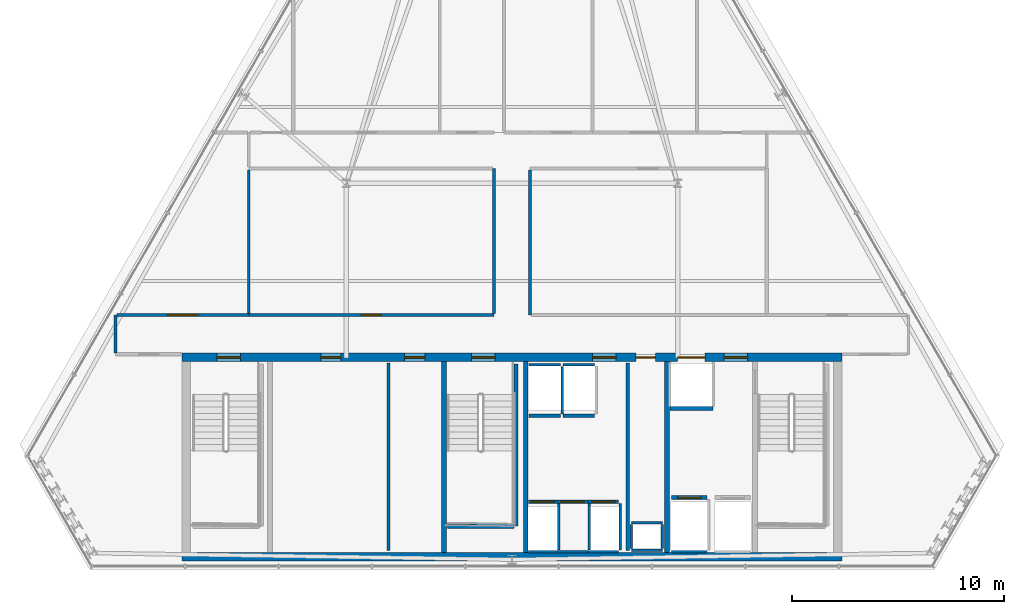
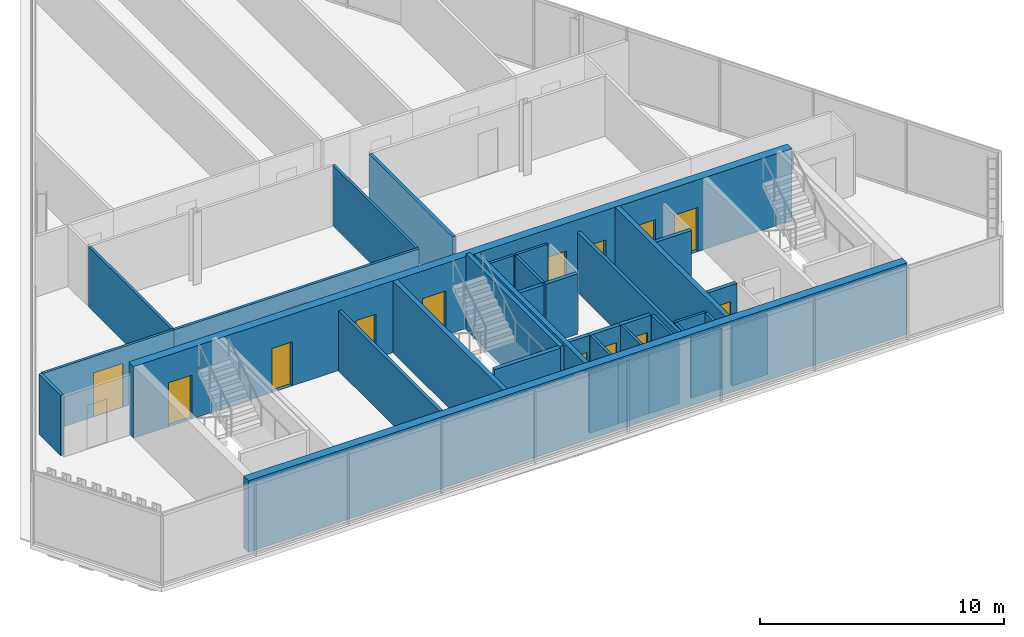
# One storey, part 27 of 32: 36 walls, 14 doors, 14 openings.
"""IFC4 building model written with IfcOpenShell, lengths in metres."""

import ifcopenshell
import ifcopenshell.guid

model = None  # the IFC model being written
_history = None  # IfcOwnerHistory: only IFC2X3 demands one
_inside = {}  # id of a spatial element -> (the spatial element, [elements in it])
_under = {}  # id of a project, library or spatial element -> (it, [spatial elements below it])
_declared = {}  # id of a project -> (the project, [libraries it declares])
_typed = {}  # id of a type object -> (the type object, [elements of that type])
_made_of = {}  # id of a material, layer set ... -> (it, [elements and type objects made of it])


def new_model(schema):
    """Start an empty IFC model of exactly this schema.

    Asked for "IFC4X3", IfcOpenShell would pick the latest addendum, in which some entities
    have other attributes; the version numbers below select the first issue.
    IFC2X3 requires an IfcOwnerHistory on every rooted entity: one is made here for all.
    """
    global model, _history
    if schema == "IFC4X3":
        model = ifcopenshell.file(schema_version=(4, 3, 0, 0))
    else:
        model = ifcopenshell.file(schema=schema)
    _inside.clear()
    _under.clear()
    _declared.clear()
    _typed.clear()
    _made_of.clear()
    _history = None
    if model.schema == "IFC2X3":
        org = make("IfcOrganization", Name="unknown")
        user = make(
            "IfcPersonAndOrganization",
            ThePerson=make("IfcPerson", FamilyName="unknown"),
            TheOrganization=org,
        )
        app = make(
            "IfcApplication",
            ApplicationDeveloper=org,
            Version="unknown",
            ApplicationFullName="unknown",
            ApplicationIdentifier="unknown",
        )
        _history = make(
            "IfcOwnerHistory",
            OwningUser=user,
            OwningApplication=app,
            ChangeAction="ADDED",
            CreationDate=0,
        )
    return model


def make(cls, **values):
    """One entity of the class cls with the attributes given. An attribute that is None is left unset."""
    return model.create_entity(
        cls, **{name: value for name, value in values.items() if value is not None}
    )


def rooted(cls, **values):
    """An entity with a GlobalId (a new one), such as an element, a storey or a relation."""
    return make(cls, GlobalId=ifcopenshell.guid.new(), OwnerHistory=_history, **values)


def si_unit(unit_type, name, prefix=None):
    """IfcSIUnit, for example si_unit("LENGTHUNIT", "METRE", prefix="MILLI")."""
    return make("IfcSIUnit", UnitType=unit_type, Prefix=prefix, Name=name)


def assignment(units):
    """IfcUnitAssignment: the units of a project."""
    return None if units is None else make("IfcUnitAssignment", Units=units)


def point(xyz):
    """IfcCartesianPoint."""
    return None if xyz is None else make("IfcCartesianPoint", Coordinates=xyz)


def direction(xyz):
    """IfcDirection."""
    return None if xyz is None else make("IfcDirection", DirectionRatios=xyz)


def frame(location, z_axis=None, x_axis=None):
    """IfcAxis2Placement3D, a coordinate frame: its origin and axes. An axis left out is left unset."""
    return make(
        "IfcAxis2Placement3D",
        Location=point(location),
        Axis=direction(z_axis),
        RefDirection=direction(x_axis),
    )


def frame_2d(location, x_axis=None):
    """IfcAxis2Placement2D, a coordinate frame in the plane: its origin and x axis."""
    return make(
        "IfcAxis2Placement2D", Location=point(location), RefDirection=direction(x_axis)
    )


def origin():
    """The frame at (0, 0, 0) with its axes left unset."""
    return frame((0.0, 0.0, 0.0))


def place(relative_to, where):
    """IfcLocalPlacement: puts the frame where relative to a parent placement (None: the world)."""
    return make(
        "IfcLocalPlacement", PlacementRelTo=relative_to, RelativePlacement=where
    )


def context(
    kind, dimensions, precision=None, world=None, true_north=None, identifier=None
):
    """IfcGeometricRepresentationContext, for example the 3D "Model" context."""
    return make(
        "IfcGeometricRepresentationContext",
        ContextIdentifier=identifier,
        ContextType=kind,
        CoordinateSpaceDimension=dimensions,
        Precision=precision,
        WorldCoordinateSystem=world,
        TrueNorth=true_north,
    )


def subcontext(parent, identifier, kind, view, scale=None):
    """IfcGeometricRepresentationSubContext, for example "Body" below "Model"."""
    return make(
        "IfcGeometricRepresentationSubContext",
        ContextIdentifier=identifier,
        ContextType=kind,
        ParentContext=parent,
        TargetScale=scale,
        TargetView=view,
    )


def project(units=None, contexts=None):
    """IfcProject with its units and contexts."""
    return rooted(
        "IfcProject",
        Name="project",
        RepresentationContexts=contexts,
        UnitsInContext=assignment(units),
    )


def spatial(cls, under=None, at=None, **own):
    """A site, building, storey or space (cls), placed at a placement, below another one or the project."""
    s = rooted(cls, ObjectPlacement=at, **own)
    if under is not None:
        _under.setdefault(under.id(), (under, []))[1].append(s)
    return s


def profile(cls, at=None, kind="AREA", **sizes):
    """A parametric profile (cls). Its sizes go by their IFC names, for example OverallWidth=200.0."""
    return make(cls, ProfileType=kind, Position=at, **sizes)


def rectangle(**sizes):
    """IfcRectangleProfileDef."""
    return profile("IfcRectangleProfileDef", **sizes)


def extrude(swept, where, along, depth):
    """IfcExtrudedAreaSolid: the profile swept, set in the frame where, extruded along a direction by depth."""
    return make(
        "IfcExtrudedAreaSolid",
        SweptArea=swept,
        Position=where,
        ExtrudedDirection=direction(along),
        Depth=depth,
    )


def shape(context_of_items, identifier, shape_type, items):
    """IfcShapeRepresentation: the items that make up one representation, for example the "Body"."""
    return make(
        "IfcShapeRepresentation",
        ContextOfItems=context_of_items,
        RepresentationIdentifier=identifier,
        RepresentationType=shape_type,
        Items=items,
    )


def material(Name=None, Category=None):
    """IfcMaterial."""
    return make("IfcMaterial", Name=Name, Category=Category)


def layer(
    of_material, thickness, ventilated=None, Name=None, Category=None, Priority=None
):
    """IfcMaterialLayer: one layer of a wall or slab, of a material (None: an air gap)."""
    return make(
        "IfcMaterialLayer",
        Material=of_material,
        LayerThickness=thickness,
        IsVentilated=ventilated,
        Name=Name,
        Category=Category,
        Priority=Priority,
    )


def layer_set(layers, Name=None):
    """IfcMaterialLayerSet."""
    return make("IfcMaterialLayerSet", MaterialLayers=layers, LayerSetName=Name)


def made_of(thing, what):
    """Note that an element or type object is made of a material, layer set ...; save() writes the relation."""
    if what is not None:
        _made_of.setdefault(what.id(), (what, []))[1].append(thing)
    return thing


def type_object(cls, material=None, **own):
    """A type object (cls), such as IfcWallType, which elements share."""
    return made_of(rooted(cls, **own), material)


def element(
    cls,
    number,
    at=None,
    inside=None,
    cuts=None,
    type_object=None,
    material=None,
    context=None,
    identifier="Body",
    shape_type=None,
    held_by="IfcProductDefinitionShape",
    body=None,
    shapes=None,
    **own,
):
    """One element of the class cls, such as IfcWall. Its Tag is "e" and its number.

    at: its placement. inside: the storey or other place that contains it. cuts: it is an
    opening in that element (IfcRelVoidsElement). A single representation is given by context,
    identifier, shape_type and body (its items); several are given by shapes. held_by: the class
    of the entity that holds the representations. save() writes the other relations.
    """
    e = rooted(cls, Tag="e%d" % number, ObjectPlacement=at, **own)
    if body is not None:
        shapes = [shape(context, identifier, shape_type, body)]
    if shapes is not None:
        e.Representation = make(held_by, Representations=shapes)
    if inside is not None:
        _inside.setdefault(inside.id(), (inside, []))[1].append(e)
    if cuts is not None:
        rooted(
            "IfcRelVoidsElement", RelatingBuildingElement=cuts, RelatedOpeningElement=e
        )
    if type_object is not None:
        _typed.setdefault(type_object.id(), (type_object, []))[1].append(e)
    return made_of(e, material)


def fill(opening, filler):
    """IfcRelFillsElement: the door or window that sits in an opening."""
    return rooted(
        "IfcRelFillsElement",
        RelatingOpeningElement=opening,
        RelatedBuildingElement=filler,
    )


def aggregate(whole, parts):
    """IfcRelAggregates: a whole, such as a stair, and the parts it consists of."""
    return rooted("IfcRelAggregates", RelatingObject=whole, RelatedObjects=parts)


def save(model, path):
    """Write the relations noted so far, then the file.

    IfcRelAggregates (storeys below a building ...), IfcRelContainedInSpatialStructure (elements
    in a storey), IfcRelDefinesByType, IfcRelAssociatesMaterial and IfcRelDeclares: one each for
    every whole, place, type object, material and project.
    """
    for whole, parts in _under.values():
        aggregate(whole, parts)
    for where, things in _inside.values():
        rooted(
            "IfcRelContainedInSpatialStructure",
            RelatedElements=things,
            RelatingStructure=where,
        )
    for kind, things in _typed.values():
        rooted("IfcRelDefinesByType", RelatedObjects=things, RelatingType=kind)
    for what, things in _made_of.values():
        rooted("IfcRelAssociatesMaterial", RelatedObjects=things, RelatingMaterial=what)
    for by, libraries in _declared.values():
        rooted("IfcRelDeclares", RelatingContext=by, RelatedDefinitions=libraries)
    model.write(path)


model = new_model("IFC4")

# Units and contexts
model_context = context("Model", 3, precision=1e-05, world=origin(), true_north=direction((0.0, 1.0)))
body_context = subcontext(model_context, "Body", "Model", "MODEL_VIEW")
ifc_project = project(units=[si_unit("LENGTHUNIT", "METRE"), si_unit("AREAUNIT", "SQUARE_METRE"), si_unit("VOLUMEUNIT", "CUBIC_METRE"), si_unit("PLANEANGLEUNIT", "RADIAN"), si_unit("MASSUNIT", "GRAM", prefix="KILO")], contexts=[model_context])

# Site, building, storey
site_placement = place(None, origin())
site = spatial("IfcSite", under=ifc_project, at=site_placement, CompositionType="ELEMENT")
building_placement = place(site_placement, origin())
building = spatial("IfcBuilding", under=site, at=building_placement, Name="Ndaravel Arena Tower", CompositionType="ELEMENT")
storey_placement = place(building_placement, frame((0.0, 0.0, 252.199951171875)))
storey = spatial("IfcBuildingStorey", under=building, at=storey_placement, Name="L61", CompositionType="ELEMENT", Elevation=252.199951171875)

# Walls
ifc_material_1 = material(Name="Gypsum", Category="gypsum")
ifc_layer_1 = layer(ifc_material_1, 0.14990234375)
ifc_layer_set_1 = layer_set([ifc_layer_1], Name="Gypsum")
wall_type_1 = type_object("IfcWallType", Name="WALL-COMP-150", PredefinedType="PARTITIONING", material=ifc_layer_set_1)
for number, where, z_axis, x_axis, name in (
    (1, (47.449951171875, 5.89990234375, 0.0), (0.0, 0.0, 1.0), (0.0, 1.0, 0.0), "L61 Core Riser Bay Partition"),
    (2, (36.179931640625, 5.89990234375, 0.0), (0.0, 0.0, 1.0), (0.0, 1.0, 0.0), "L61 High-Zone Core Divider 1"),
):
    element("IfcWall", number, at=place(storey_placement, frame(where, z_axis=z_axis, x_axis=x_axis)), inside=storey, type_object=wall_type_1, Name=name, PredefinedType="PARTITIONING", context=body_context, shape_type="SweptSolid", body=[
        extrude(rectangle(XDim=8.85009765625, YDim=0.14990234375, at=frame_2d((4.425048828125, 0.0))), origin(), (0.0, 0.0, 1.0), 3.010498046875),
    ])
ifc_material_2 = material(Name="Concrete C50/60", Category="concrete")
ifc_layer_2 = layer(ifc_material_2, 0.219970703125)
ifc_layer_set_2 = layer_set([ifc_layer_2], Name="Concrete C50/60")
wall_type_2 = type_object("IfcWallType", Name="WALL-CORE-220", PredefinedType="SOLIDWALL", material=ifc_layer_set_2)
for number, where, z_axis, x_axis, name in (
    (3, (38.800048828125, 5.800048828125, 0.0), (0.0, 0.0, 1.0), (0.0, 1.0, 0.0), "L61 Core Web Shear Wall 2"),
    (4, (42.64990234375, 5.800048828125, 0.0), (0.0, 0.0, 1.0), (0.0, 1.0, 0.0), "L61 Core Web Shear Wall 3"),
    (5, (49.300048828125, 5.800048828125, 0.0), (0.0, 0.0, 1.0), (0.0, 1.0, 0.0), "L61 Core Web Shear Wall 4"),
):
    element("IfcWall", number, at=place(storey_placement, frame(where, z_axis=z_axis, x_axis=x_axis)), inside=storey, type_object=wall_type_2, Name=name, PredefinedType="SOLIDWALL", context=body_context, shape_type="SweptSolid", body=[
        extrude(rectangle(XDim=9.0, YDim=0.219970703125, at=frame_2d((4.5, 0.0))), origin(), (0.0, 0.0, 1.0), 3.580078125),
    ])

# Wall, openings, doors
ifc_material_3 = material(Name="Concrete C50/60", Category="concrete")
ifc_layer_3 = layer(ifc_material_3, 0.39990234375)
ifc_layer_set_3 = layer_set([ifc_layer_3], Name="Concrete C50/60")
wall_type_3 = type_object("IfcWallType", Name="WALL-CORE-400", PredefinedType="SOLIDWALL", material=ifc_layer_set_3)
wall_1_placement = place(storey_placement, frame((26.449951171875, 15.0, 0.0), z_axis=(0.0, 0.0, 1.0), x_axis=(1.0, 0.0, 0.0)))
wall_1 = element("IfcWall", 6, at=wall_1_placement, inside=storey, type_object=wall_type_3, Name="L61 Core North Shear Wall", PredefinedType="SOLIDWALL", context=body_context, shape_type="SweptSolid", body=[
    extrude(rectangle(XDim=31.10009765625, YDim=0.39990234375, at=frame_2d((15.550048828125, 0.0))), origin(), (0.0, 0.0, 1.0), 3.580078125),
])
opening_1_placement = place(wall_1_placement, frame((1.64990234375, 0.0, 0.0)))
opening_1 = element("IfcOpeningElement", 7, at=opening_1_placement, cuts=wall_1, Name="Opening FD-01", PredefinedType="OPENING", context=body_context, shape_type="SweptSolid", body=[
    extrude(rectangle(XDim=1.10009765625, YDim=2.199951171875, at=frame_2d((0.550048828125, 1.10009765625))), frame((0.0, 0.199951171875, 0.0), z_axis=(0.0, -1.0, 0.0), x_axis=(1.0, 0.0, 0.0)), (0.0, 0.0, 1.0), 0.39990234375),
])
opening_2_placement = place(wall_1_placement, frame((13.64990234375, 0.0, 0.0)))
opening_2 = element("IfcOpeningElement", 8, at=opening_2_placement, cuts=wall_1, Name="Opening FD-01", PredefinedType="OPENING", context=body_context, shape_type="SweptSolid", body=[
    extrude(rectangle(XDim=1.10009765625, YDim=2.199951171875, at=frame_2d((0.550048828125, 1.10009765625))), frame((0.0, 0.199951171875, 0.0), z_axis=(0.0, -1.0, 0.0), x_axis=(1.0, 0.0, 0.0)), (0.0, 0.0, 1.0), 0.39990234375),
])
opening_3_placement = place(wall_1_placement, frame((25.550048828125, 0.0, 0.0)))
opening_3 = element("IfcOpeningElement", 9, at=opening_3_placement, cuts=wall_1, Name="Opening FD-01", PredefinedType="OPENING", context=body_context, shape_type="SweptSolid", body=[
    extrude(rectangle(XDim=1.10009765625, YDim=2.199951171875, at=frame_2d((0.550048828125, 1.10009765625))), frame((0.0, 0.199951171875, 0.0), z_axis=(0.0, -1.0, 0.0), x_axis=(1.0, 0.0, 0.0)), (0.0, 0.0, 1.0), 0.39990234375),
])
opening_4_placement = place(wall_1_placement, frame((19.35009765625, 0.0, 0.0)))
opening_4 = element("IfcOpeningElement", 10, at=opening_4_placement, cuts=wall_1, Name="Opening FD-01", PredefinedType="OPENING", context=body_context, shape_type="SweptSolid", body=[
    extrude(rectangle(XDim=1.10009765625, YDim=2.199951171875, at=frame_2d((0.550048828125, 1.10009765625))), frame((0.0, 0.199951171875, 0.0), z_axis=(0.0, -1.0, 0.0), x_axis=(1.0, 0.0, 0.0)), (0.0, 0.0, 1.0), 0.39990234375),
])
opening_5_placement = place(wall_1_placement, frame((21.39990234375, 0.0, 0.0)))
opening_5 = element("IfcOpeningElement", 11, at=opening_5_placement, cuts=wall_1, Name="Opening RD-01", PredefinedType="OPENING", context=body_context, shape_type="SweptSolid", body=[
    extrude(rectangle(XDim=0.89990234375, YDim=2.10009765625, at=frame_2d((0.449951171875, 1.050048828125))), frame((0.0, 0.199951171875, 0.0), z_axis=(0.0, -1.0, 0.0), x_axis=(1.0, 0.0, 0.0)), (0.0, 0.0, 1.0), 0.39990234375),
])
opening_6_placement = place(wall_1_placement, frame((6.5400390625, 0.0, 0.0)))
opening_6 = element("IfcOpeningElement", 12, at=opening_6_placement, cuts=wall_1, Name="Opening FD-03", PredefinedType="OPENING", context=body_context, shape_type="SweptSolid", body=[
    extrude(rectangle(XDim=0.949951171875, YDim=2.199951171875, at=frame_2d((0.47509765625, 1.10009765625))), frame((0.0, 0.199951171875, 0.0), z_axis=(0.0, -1.0, 0.0), x_axis=(1.0, 0.0, 0.0)), (0.0, 0.0, 1.0), 0.39990234375),
])
opening_7_placement = place(wall_1_placement, frame((10.489990234375, 0.0, 0.0)))
opening_7 = element("IfcOpeningElement", 13, at=opening_7_placement, cuts=wall_1, Name="Opening FD-03", PredefinedType="OPENING", context=body_context, shape_type="SweptSolid", body=[
    extrude(rectangle(XDim=0.949951171875, YDim=2.199951171875, at=frame_2d((0.47509765625, 1.10009765625))), frame((0.0, 0.199951171875, 0.0), z_axis=(0.0, -1.0, 0.0), x_axis=(1.0, 0.0, 0.0)), (0.0, 0.0, 1.0), 0.39990234375),
])
opening_8_placement = place(wall_1_placement, frame((23.35009765625, 0.0, 0.0)))
opening_8 = element("IfcOpeningElement", 14, at=opening_8_placement, cuts=wall_1, Name="Opening LD-02", PredefinedType="OPENING", context=body_context, shape_type="SweptSolid", body=[
    extrude(rectangle(XDim=1.300048828125, YDim=2.300048828125, at=frame_2d((0.64990234375, 1.14990234375))), frame((0.0, 0.199951171875, 0.0), z_axis=(0.0, -1.0, 0.0), x_axis=(1.0, 0.0, 0.0)), (0.0, 0.0, 1.0), 0.39990234375),
])
ifc_material_4 = material(Name="Steel S355", Category="steel")
door_type_1 = type_object("IfcDoorType", Name="DT-01-STAIR-1100", OperationType="SINGLE_SWING_LEFT", PredefinedType="DOOR", material=ifc_material_4)
door_1_placement = place(opening_1_placement, origin())
door_1 = element("IfcDoor", 15, at=door_1_placement, inside=storey, type_object=door_type_1, Name="L61 Exit Stair ST-1 Door", OperationType="SINGLE_SWING_RIGHT", OverallHeight=2.199951171875, OverallWidth=1.10009765625, PredefinedType="DOOR", context=body_context, shape_type="SweptSolid", body=[
    extrude(rectangle(XDim=1.10009765625, YDim=2.199951171875, at=frame_2d((0.550048828125, 1.10009765625))), frame((0.0, 0.02490234375, 0.0), z_axis=(0.0, -1.0, 0.0), x_axis=(1.0, 0.0, 0.0)), (0.0, 0.0, 1.0), 0.050048828125),
])
fill(opening_1, door_1)
door_2_placement = place(opening_2_placement, origin())
door_2 = element("IfcDoor", 16, at=door_2_placement, inside=storey, type_object=door_type_1, Name="L61 Exit Stair ST-2 Door", OperationType="SINGLE_SWING_LEFT", OverallHeight=2.199951171875, OverallWidth=1.10009765625, PredefinedType="DOOR", context=body_context, shape_type="SweptSolid", body=[
    extrude(rectangle(XDim=1.10009765625, YDim=2.199951171875, at=frame_2d((0.550048828125, 1.10009765625))), frame((0.0, 0.02490234375, 0.0), z_axis=(0.0, -1.0, 0.0), x_axis=(1.0, 0.0, 0.0)), (0.0, 0.0, 1.0), 0.050048828125),
])
fill(opening_2, door_2)
door_3_placement = place(opening_3_placement, origin())
door_3 = element("IfcDoor", 17, at=door_3_placement, inside=storey, type_object=door_type_1, Name="L61 Firefighting Lift Lobby Door", OperationType="SINGLE_SWING_RIGHT", OverallHeight=2.199951171875, OverallWidth=1.10009765625, PredefinedType="DOOR", context=body_context, shape_type="SweptSolid", body=[
    extrude(rectangle(XDim=1.10009765625, YDim=2.199951171875, at=frame_2d((0.550048828125, 1.10009765625))), frame((0.0, 0.02490234375, 0.0), z_axis=(0.0, -1.0, 0.0), x_axis=(1.0, 0.0, 0.0)), (0.0, 0.0, 1.0), 0.050048828125),
])
fill(opening_3, door_3)
door_4_placement = place(opening_4_placement, origin())
door_4 = element("IfcDoor", 18, at=door_4_placement, inside=storey, type_object=door_type_1, Name="L61 Express Lift Lobby Entry Door", OperationType="SINGLE_SWING_LEFT", OverallHeight=2.199951171875, OverallWidth=1.10009765625, PredefinedType="DOOR", context=body_context, shape_type="SweptSolid", body=[
    extrude(rectangle(XDim=1.10009765625, YDim=2.199951171875, at=frame_2d((0.550048828125, 1.10009765625))), frame((0.0, 0.02490234375, 0.0), z_axis=(0.0, -1.0, 0.0), x_axis=(1.0, 0.0, 0.0)), (0.0, 0.0, 1.0), 0.050048828125),
])
fill(opening_4, door_4)
ifc_material_5 = material(Name="Steel S355", Category="steel")
door_type_2 = type_object("IfcDoorType", Name="DT-07-SVLIFT-1300", OperationType="DOUBLE_DOOR_SLIDING", PredefinedType="DOOR", material=ifc_material_5)
door_5_placement = place(opening_8_placement, origin())
door_5 = element("IfcDoor", 19, at=door_5_placement, inside=storey, type_object=door_type_2, Name="L61 Lift SVL-1 Sliding Landing Door", OperationType="DOUBLE_DOOR_SLIDING", OverallHeight=2.300048828125, OverallWidth=1.300048828125, PredefinedType="DOOR", context=body_context, shape_type="SweptSolid", body=[
    extrude(rectangle(XDim=1.300048828125, YDim=2.300048828125, at=frame_2d((0.64990234375, 1.14990234375))), frame((0.0, 0.02490234375, 0.0), z_axis=(0.0, -1.0, 0.0), x_axis=(1.0, 0.0, 0.0)), (0.0, 0.0, 1.0), 0.050048828125),
])
fill(opening_8, door_5)
ifc_material_6 = material(Name="Steel S355", Category="steel")
door_type_3 = type_object("IfcDoorType", Name="DT-08-RISER-900", OperationType="SINGLE_SWING_LEFT", PredefinedType="DOOR", material=ifc_material_6)
door_6_placement = place(opening_5_placement, origin())
door_6 = element("IfcDoor", 20, at=door_6_placement, inside=storey, type_object=door_type_3, Name="L61 Core Service Riser North Door", OperationType="SINGLE_SWING_LEFT", OverallHeight=2.10009765625, OverallWidth=0.89990234375, PredefinedType="DOOR", context=body_context, shape_type="SweptSolid", body=[
    extrude(rectangle(XDim=0.89990234375, YDim=2.10009765625, at=frame_2d((0.449951171875, 1.050048828125))), frame((0.0, 0.02490234375, 0.0), z_axis=(0.0, -1.0, 0.0), x_axis=(1.0, 0.0, 0.0)), (0.0, 0.0, 1.0), 0.050048828125),
])
fill(opening_5, door_6)
ifc_material_7 = material(Name="Steel S355", Category="steel")
door_type_4 = type_object("IfcDoorType", Name="DT-11-CORE-950", OperationType="SINGLE_SWING_LEFT", PredefinedType="DOOR", material=ifc_material_7)
door_7_placement = place(opening_6_placement, origin())
door_7 = element("IfcDoor", 21, at=door_7_placement, inside=storey, type_object=door_type_4, Name="L61 High-Zone Reclaimed Core Room 1 Door", OperationType="SINGLE_SWING_LEFT", OverallHeight=2.199951171875, OverallWidth=0.949951171875, PredefinedType="DOOR", context=body_context, shape_type="SweptSolid", body=[
    extrude(rectangle(XDim=0.949951171875, YDim=2.199951171875, at=frame_2d((0.47509765625, 1.10009765625))), frame((0.0, 0.02490234375, 0.0), z_axis=(0.0, -1.0, 0.0), x_axis=(1.0, 0.0, 0.0)), (0.0, 0.0, 1.0), 0.050048828125),
])
fill(opening_6, door_7)
door_8_placement = place(opening_7_placement, origin())
door_8 = element("IfcDoor", 22, at=door_8_placement, inside=storey, type_object=door_type_4, Name="L61 High-Zone Reclaimed Core Room 2 Door", OperationType="SINGLE_SWING_RIGHT", OverallHeight=2.199951171875, OverallWidth=0.949951171875, PredefinedType="DOOR", context=body_context, shape_type="SweptSolid", body=[
    extrude(rectangle(XDim=0.949951171875, YDim=2.199951171875, at=frame_2d((0.47509765625, 1.10009765625))), frame((0.0, 0.02490234375, 0.0), z_axis=(0.0, -1.0, 0.0), x_axis=(1.0, 0.0, 0.0)), (0.0, 0.0, 1.0), 0.050048828125),
])
fill(opening_7, door_8)

# Wall
wall_2_placement = place(storey_placement, frame((26.449951171875, 5.60009765625, 0.0), z_axis=(0.0, 0.0, 1.0), x_axis=(1.0, 0.0, 0.0)))
element("IfcWall", 23, at=wall_2_placement, inside=storey, type_object=wall_type_3, Name="L61 Core South Shear Wall", PredefinedType="SOLIDWALL", context=body_context, shape_type="SweptSolid", body=[
    extrude(rectangle(XDim=31.10009765625, YDim=0.39990234375, at=frame_2d((15.550048828125, 0.0))), origin(), (0.0, 0.0, 1.0), 3.580078125),
])

# Wall, opening, door
ifc_material_8 = material(Name="Gypsum", Category="gypsum")
ifc_layer_4 = layer(ifc_material_8, 0.125)
ifc_layer_set_4 = layer_set([ifc_layer_4], Name="Gypsum")
wall_type_4 = type_object("IfcWallType", Name="WALL-PART-125", PredefinedType="PARTITIONING", material=ifc_layer_set_4)
wall_3_placement = place(storey_placement, frame((23.3798828125, 17.0, 0.0), z_axis=(0.0, 0.0, 1.0), x_axis=(1.0, 0.0, 0.0)))
wall_3 = element("IfcWall", 24, at=wall_3_placement, inside=storey, type_object=wall_type_4, Name="L61 Interior Partition 005", PredefinedType="PARTITIONING", context=body_context, shape_type="SweptSolid", body=[
    extrude(rectangle(XDim=6.22021484375, YDim=0.125, at=frame_2d((3.110107421875, 0.0))), origin(), (0.0, 0.0, 1.0), 3.010498046875),
])
opening_9_placement = place(wall_3_placement, frame((2.409912109375, 0.0, 0.0)))
opening_9 = element("IfcOpeningElement", 25, at=opening_9_placement, cuts=wall_3, Name="Opening ID-02", PredefinedType="OPENING", context=body_context, shape_type="SweptSolid", body=[
    extrude(rectangle(XDim=1.39990234375, YDim=2.199951171875, at=frame_2d((0.699951171875, 1.10009765625))), frame((0.0, 0.0625, 0.0), z_axis=(0.0, -1.0, 0.0), x_axis=(1.0, 0.0, 0.0)), (0.0, 0.0, 1.0), 0.125),
])
ifc_material_9 = material(Name="Timber", Category="wood")
door_type_5 = type_object("IfcDoorType", Name="DT-04-SUITE-1400", OperationType="DOUBLE_DOOR_SINGLE_SWING", PredefinedType="DOOR", material=ifc_material_9)
door_9_placement = place(opening_9_placement, origin())
door_9 = element("IfcDoor", 26, at=door_9_placement, inside=storey, type_object=door_type_5, Name="L61 Executive Boardroom Door", OperationType="SINGLE_SWING_RIGHT", OverallHeight=2.199951171875, OverallWidth=1.39990234375, PredefinedType="DOOR", context=body_context, shape_type="SweptSolid", body=[
    extrude(rectangle(XDim=1.39990234375, YDim=2.199951171875, at=frame_2d((0.699951171875, 1.10009765625))), frame((0.0, 0.02490234375, 0.0), z_axis=(0.0, -1.0, 0.0), x_axis=(1.0, 0.0, 0.0)), (0.0, 0.0, 1.0), 0.050048828125),
])
fill(opening_9, door_9)

wall_4_placement = place(storey_placement, frame((29.60009765625, 17.0, 0.0), z_axis=(0.0, 0.0, 1.0), x_axis=(1.0, 0.0, 0.0)))
wall_4 = element("IfcWall", 27, at=wall_4_placement, inside=storey, type_object=wall_type_4, Name="L61 Interior Partition 006", PredefinedType="PARTITIONING", context=body_context, shape_type="SweptSolid", body=[
    extrude(rectangle(XDim=11.5498046875, YDim=0.125, at=frame_2d((5.77490234375, 0.0))), origin(), (0.0, 0.0, 1.0), 3.010498046875),
])
opening_10_placement = place(wall_4_placement, frame((5.300048828125, 0.0, 0.0)))
opening_10 = element("IfcOpeningElement", 28, at=opening_10_placement, cuts=wall_4, Name="Opening ID-01", PredefinedType="OPENING", context=body_context, shape_type="SweptSolid", body=[
    extrude(rectangle(XDim=0.949951171875, YDim=2.199951171875, at=frame_2d((0.47509765625, 1.10009765625))), frame((0.0, 0.0625, 0.0), z_axis=(0.0, -1.0, 0.0), x_axis=(1.0, 0.0, 0.0)), (0.0, 0.0, 1.0), 0.125),
])
ifc_material_10 = material(Name="Timber", Category="wood")
door_type_6 = type_object("IfcDoorType", Name="DT-03-OFFICE-950", OperationType="SINGLE_SWING_LEFT", PredefinedType="DOOR", material=ifc_material_10)
door_10_placement = place(opening_10_placement, origin())
door_10 = element("IfcDoor", 29, at=door_10_placement, inside=storey, type_object=door_type_6, Name="L61 Staff Wellness Clinic Door", OperationType="SINGLE_SWING_LEFT", OverallHeight=2.199951171875, OverallWidth=0.949951171875, PredefinedType="DOOR", context=body_context, shape_type="SweptSolid", body=[
    extrude(rectangle(XDim=0.949951171875, YDim=2.199951171875, at=frame_2d((0.47509765625, 1.10009765625))), frame((0.0, 0.02490234375, 0.0), z_axis=(0.0, -1.0, 0.0), x_axis=(1.0, 0.0, 0.0)), (0.0, 0.0, 1.0), 0.050048828125),
])
fill(opening_10, door_10)

# Walls
wall_5_placement = place(storey_placement, frame((41.14990234375, 17.06494140625, 0.0), z_axis=(0.0, 0.0, 1.0), x_axis=(0.0, 1.0, 0.0)))
element("IfcWall", 30, at=wall_5_placement, inside=storey, type_object=wall_type_4, Name="L61 Interior Partition 007", PredefinedType="PARTITIONING", context=body_context, shape_type="SweptSolid", body=[
    extrude(rectangle(XDim=6.8349609375, YDim=0.125, at=frame_2d((3.41748046875, 0.0))), origin(), (0.0, 0.0, 1.0), 3.010498046875),
])
wall_6_placement = place(storey_placement, frame((29.60009765625, 23.8349609375, 0.0), z_axis=(0.0, 0.0, 1.0), x_axis=(0.0, -1.0, 0.0)))
element("IfcWall", 31, at=wall_6_placement, inside=storey, type_object=wall_type_4, Name="L61 Interior Partition 022", PredefinedType="PARTITIONING", context=body_context, shape_type="SweptSolid", body=[
    extrude(rectangle(XDim=6.77001953125, YDim=0.125, at=frame_2d((3.385009765625, 0.0))), origin(), (0.0, 0.0, 1.0), 3.010498046875),
])
ifc_material_11 = material(Name="Concrete C40/50", Category="concrete")
ifc_layer_5 = layer(ifc_material_11, 0.1201171875)
ifc_layer_set_5 = layer_set([ifc_layer_5], Name="Concrete C40/50")
wall_type_5 = type_object("IfcWallType", Name="WALL-SHAFT-120", PredefinedType="SOLIDWALL", material=ifc_layer_set_5)
for number, where, z_axis, x_axis, name in (
    (32, (47.6201171875, 5.919921875, 0.0), (0.0, 0.0, 1.0), (1.0, 0.0, 0.0), "L61 MEP Riser Shaft S Wall"),
    (33, (47.6201171875, 7.219970703125, 0.0), (0.0, 0.0, 1.0), (1.0, 0.0, 0.0), "L61 MEP Riser Shaft N Wall"),
):
    element("IfcWall", number, at=place(storey_placement, frame(where, z_axis=z_axis, x_axis=x_axis)), inside=storey, type_object=wall_type_5, Name=name, PredefinedType="SOLIDWALL", context=body_context, shape_type="SweptSolid", body=[
        extrude(rectangle(XDim=1.4599609375, YDim=0.1201171875, at=frame_2d((0.72998046875, 0.0))), origin(), (0.0, 0.0, 1.0), 3.010498046875),
    ])
for number, where, z_axis, x_axis, name in (
    (34, (47.6201171875, 6.0, 0.0), (0.0, 0.0, 1.0), (0.0, 1.0, 0.0), "L61 MEP Riser Shaft W Wall"),
    (35, (49.080078125, 6.0, 0.0), (0.0, 0.0, 1.0), (0.0, 1.0, 0.0), "L61 MEP Riser Shaft E Wall"),
):
    element("IfcWall", number, at=place(storey_placement, frame(where, z_axis=z_axis, x_axis=x_axis)), inside=storey, type_object=wall_type_5, Name=name, PredefinedType="SOLIDWALL", context=body_context, shape_type="SweptSolid", body=[
        extrude(rectangle(XDim=1.139892578125, YDim=0.1201171875, at=frame_2d((0.56982421875, 0.0))), origin(), (0.0, 0.0, 1.0), 3.010498046875),
    ])
wall_7_placement = place(storey_placement, frame((42.780029296875, 5.840087890625, 0.0), z_axis=(0.0, 0.0, 1.0), x_axis=(1.0, 0.0, 0.0)))
element("IfcWall", 36, at=wall_7_placement, inside=storey, type_object=wall_type_5, Name="L61 PL-H1 Shaft Rear Wall", PredefinedType="SOLIDWALL", context=body_context, shape_type="SweptSolid", body=[
    extrude(rectangle(XDim=1.340087890625, YDim=0.1201171875, at=frame_2d((0.669921875, 0.0))), origin(), (0.0, 0.0, 1.0), 3.010498046875),
])
wall_8_placement = place(storey_placement, frame((44.199951171875, 5.929931640625, 0.0), z_axis=(0.0, 0.0, 1.0), x_axis=(0.0, 1.0, 0.0)))
element("IfcWall", 37, at=wall_8_placement, inside=storey, type_object=wall_type_5, Name="L61 PL-H1 Shaft Side R Wall", PredefinedType="SOLIDWALL", context=body_context, shape_type="SweptSolid", body=[
    extrude(rectangle(XDim=2.18017578125, YDim=0.1201171875, at=frame_2d((1.090087890625, 0.0))), origin(), (0.0, 0.0, 1.0), 3.010498046875),
])
wall_9_placement = place(storey_placement, frame((44.1298828125, 5.840087890625, 0.0), z_axis=(0.0, 0.0, 1.0), x_axis=(1.0, 0.0, 0.0)))
element("IfcWall", 38, at=wall_9_placement, inside=storey, type_object=wall_type_5, Name="L61 PL-H2 Shaft Rear Wall", PredefinedType="SOLIDWALL", context=body_context, shape_type="SweptSolid", body=[
    extrude(rectangle(XDim=1.440185546875, YDim=0.1201171875, at=frame_2d((0.72021484375, 0.0))), origin(), (0.0, 0.0, 1.0), 3.010498046875),
])
wall_10_placement = place(storey_placement, frame((45.64990234375, 5.929931640625, 0.0), z_axis=(0.0, 0.0, 1.0), x_axis=(0.0, 1.0, 0.0)))
element("IfcWall", 39, at=wall_10_placement, inside=storey, type_object=wall_type_5, Name="L61 PL-H2 Shaft Side R Wall", PredefinedType="SOLIDWALL", context=body_context, shape_type="SweptSolid", body=[
    extrude(rectangle(XDim=2.18017578125, YDim=0.1201171875, at=frame_2d((1.090087890625, 0.0))), origin(), (0.0, 0.0, 1.0), 3.010498046875),
])
wall_11_placement = place(storey_placement, frame((45.580078125, 5.840087890625, 0.0), z_axis=(0.0, 0.0, 1.0), x_axis=(1.0, 0.0, 0.0)))
element("IfcWall", 40, at=wall_11_placement, inside=storey, type_object=wall_type_5, Name="L61 PL-H3 Shaft Rear Wall", PredefinedType="SOLIDWALL", context=body_context, shape_type="SweptSolid", body=[
    extrude(rectangle(XDim=1.43994140625, YDim=0.1201171875, at=frame_2d((0.719970703125, 0.0))), origin(), (0.0, 0.0, 1.0), 3.010498046875),
])
wall_12_placement = place(storey_placement, frame((47.10009765625, 5.929931640625, 0.0), z_axis=(0.0, 0.0, 1.0), x_axis=(0.0, 1.0, 0.0)))
element("IfcWall", 41, at=wall_12_placement, inside=storey, type_object=wall_type_5, Name="L61 PL-H3 Shaft Side R Wall", PredefinedType="SOLIDWALL", context=body_context, shape_type="SweptSolid", body=[
    extrude(rectangle(XDim=2.18017578125, YDim=0.1201171875, at=frame_2d((1.090087890625, 0.0))), origin(), (0.0, 0.0, 1.0), 3.010498046875),
])
wall_13_placement = place(storey_placement, frame((42.804931640625, 14.659912109375, 0.0), z_axis=(0.0, 0.0, 1.0), x_axis=(1.0, 0.0, 0.0)))
element("IfcWall", 42, at=wall_13_placement, inside=storey, type_object=wall_type_5, Name="L61 PL-OBS1 Shaft Rear Wall", PredefinedType="SOLIDWALL", context=body_context, shape_type="SweptSolid", body=[
    extrude(rectangle(XDim=1.489990234375, YDim=0.1201171875, at=frame_2d((0.7451171875, 0.0))), origin(), (0.0, 0.0, 1.0), 3.010498046875),
])
wall_14_placement = place(storey_placement, frame((44.375, 12.340087890625, 0.0), z_axis=(0.0, 0.0, 1.0), x_axis=(0.0, 1.0, 0.0)))
element("IfcWall", 43, at=wall_14_placement, inside=storey, type_object=wall_type_5, Name="L61 PL-OBS1 Shaft Side R Wall", PredefinedType="SOLIDWALL", context=body_context, shape_type="SweptSolid", body=[
    extrude(rectangle(XDim=2.22998046875, YDim=0.1201171875, at=frame_2d((1.114990234375, 0.0))), origin(), (0.0, 0.0, 1.0), 3.010498046875),
])
wall_15_placement = place(storey_placement, frame((44.405029296875, 14.659912109375, 0.0), z_axis=(0.0, 0.0, 1.0), x_axis=(1.0, 0.0, 0.0)))
element("IfcWall", 44, at=wall_15_placement, inside=storey, type_object=wall_type_5, Name="L61 PL-OBS2 Shaft Rear Wall", PredefinedType="SOLIDWALL", context=body_context, shape_type="SweptSolid", body=[
    extrude(rectangle(XDim=1.489990234375, YDim=0.1201171875, at=frame_2d((0.7451171875, 0.0))), origin(), (0.0, 0.0, 1.0), 3.010498046875),
])
wall_16_placement = place(storey_placement, frame((49.5048828125, 5.840087890625, 0.0), z_axis=(0.0, 0.0, 1.0), x_axis=(1.0, 0.0, 0.0)))
element("IfcWall", 45, at=wall_16_placement, inside=storey, type_object=wall_type_5, Name="L61 FFL-1 Shaft Rear Wall", PredefinedType="SOLIDWALL", context=body_context, shape_type="SweptSolid", body=[
    extrude(rectangle(XDim=1.690185546875, YDim=0.1201171875, at=frame_2d((0.84521484375, 0.0))), origin(), (0.0, 0.0, 1.0), 3.010498046875),
])
ifc_material_12 = material(Name="Concrete C40/50", Category="concrete")
ifc_layer_6 = layer(ifc_material_12, 0.199951171875)
ifc_layer_set_6 = layer_set([ifc_layer_6], Name="Concrete C40/50")
wall_type_6 = type_object("IfcWallType", Name="WALL-SHAFT-200", PredefinedType="SOLIDWALL", material=ifc_layer_set_6)
wall_17_placement = place(storey_placement, frame((42.18994140625, 14.699951171875, 0.0), z_axis=(0.0, 0.0, 1.0), x_axis=(0.0, -1.0, 0.0)))
element("IfcWall", 46, at=wall_17_placement, inside=storey, type_object=wall_type_6, Name="L61 ST-2 Structural Shaft Wall Right", PredefinedType="SOLIDWALL", context=body_context, shape_type="SweptSolid", body=[
    extrude(rectangle(XDim=7.64990234375, YDim=0.199951171875, at=frame_2d((3.824951171875, 0.0))), origin(), (0.0, 0.0, 1.0), 3.800048828125),
])
wall_18_placement = place(storey_placement, frame((38.969970703125, 7.050048828125, 0.0), z_axis=(0.0, 0.0, 1.0), x_axis=(1.0, 0.0, 0.0)))
element("IfcWall", 47, at=wall_18_placement, inside=storey, type_object=wall_type_6, Name="L61 ST-2 Structural Shaft Wall Far", PredefinedType="SOLIDWALL", context=body_context, shape_type="SweptSolid", body=[
    extrude(rectangle(XDim=3.114990234375, YDim=0.199951171875, at=frame_2d((1.5576171875, 0.0))), origin(), (0.0, 0.0, 1.0), 3.800048828125),
])

# Wall, opening, door
wall_19_placement = place(storey_placement, frame((42.780029296875, 8.199951171875, 0.0), z_axis=(0.0, 0.0, 1.0), x_axis=(1.0, 0.0, 0.0)))
wall_19 = element("IfcWall", 48, at=wall_19_placement, inside=storey, type_object=wall_type_6, Name="L61 PL-H1 Shaft Landing Wall", PredefinedType="SOLIDWALL", context=body_context, shape_type="SweptSolid", body=[
    extrude(rectangle(XDim=1.340087890625, YDim=0.179931640625, at=frame_2d((0.669921875, 0.0))), origin(), (0.0, 0.0, 1.0), 3.010498046875),
])
opening_11_placement = place(wall_19_placement, frame((0.1201171875, 0.0, 0.0)))
opening_11 = element("IfcOpeningElement", 49, at=opening_11_placement, cuts=wall_19, Name="Opening LD-01", PredefinedType="OPENING", context=body_context, shape_type="SweptSolid", body=[
    extrude(rectangle(XDim=1.10009765625, YDim=2.199951171875, at=frame_2d((0.550048828125, 1.10009765625))), frame((0.0, 0.08984375, 0.0), z_axis=(0.0, -1.0, 0.0), x_axis=(1.0, 0.0, 0.0)), (0.0, 0.0, 1.0), 0.179931640625),
])
ifc_material_13 = material(Name="Steel S355", Category="steel")
door_type_7 = type_object("IfcDoorType", Name="DT-06-LIFT-1100", OperationType="SLIDING_TO_LEFT", PredefinedType="DOOR", material=ifc_material_13)
door_11_placement = place(opening_11_placement, origin())
door_11 = element("IfcDoor", 50, at=door_11_placement, inside=storey, type_object=door_type_7, Name="L61 Lift PL-H1 Sliding Landing Door", OperationType="SLIDING_TO_LEFT", OverallHeight=2.199951171875, OverallWidth=1.10009765625, PredefinedType="DOOR", context=body_context, shape_type="SweptSolid", body=[
    extrude(rectangle(XDim=1.10009765625, YDim=2.199951171875, at=frame_2d((0.550048828125, 1.10009765625))), frame((0.0, 0.02490234375, 0.0), z_axis=(0.0, -1.0, 0.0), x_axis=(1.0, 0.0, 0.0)), (0.0, 0.0, 1.0), 0.050048828125),
])
fill(opening_11, door_11)

wall_20_placement = place(storey_placement, frame((44.1298828125, 8.199951171875, 0.0), z_axis=(0.0, 0.0, 1.0), x_axis=(1.0, 0.0, 0.0)))
wall_20 = element("IfcWall", 51, at=wall_20_placement, inside=storey, type_object=wall_type_6, Name="L61 PL-H2 Shaft Landing Wall", PredefinedType="SOLIDWALL", context=body_context, shape_type="SweptSolid", body=[
    extrude(rectangle(XDim=1.440185546875, YDim=0.179931640625, at=frame_2d((0.72021484375, 0.0))), origin(), (0.0, 0.0, 1.0), 3.010498046875),
])
opening_12_placement = place(wall_20_placement, frame((0.169921875, 0.0, 0.0)))
opening_12 = element("IfcOpeningElement", 52, at=opening_12_placement, cuts=wall_20, Name="Opening LD-01", PredefinedType="OPENING", context=body_context, shape_type="SweptSolid", body=[
    extrude(rectangle(XDim=1.10009765625, YDim=2.199951171875, at=frame_2d((0.550048828125, 1.10009765625))), frame((0.0, 0.08984375, 0.0), z_axis=(0.0, -1.0, 0.0), x_axis=(1.0, 0.0, 0.0)), (0.0, 0.0, 1.0), 0.179931640625),
])
door_12_placement = place(opening_12_placement, origin())
door_12 = element("IfcDoor", 53, at=door_12_placement, inside=storey, type_object=door_type_7, Name="L61 Lift PL-H2 Sliding Landing Door", OperationType="SLIDING_TO_LEFT", OverallHeight=2.199951171875, OverallWidth=1.10009765625, PredefinedType="DOOR", context=body_context, shape_type="SweptSolid", body=[
    extrude(rectangle(XDim=1.10009765625, YDim=2.199951171875, at=frame_2d((0.550048828125, 1.10009765625))), frame((0.0, 0.02490234375, 0.0), z_axis=(0.0, -1.0, 0.0), x_axis=(1.0, 0.0, 0.0)), (0.0, 0.0, 1.0), 0.050048828125),
])
fill(opening_12, door_12)

wall_21_placement = place(storey_placement, frame((45.580078125, 8.199951171875, 0.0), z_axis=(0.0, 0.0, 1.0), x_axis=(1.0, 0.0, 0.0)))
wall_21 = element("IfcWall", 54, at=wall_21_placement, inside=storey, type_object=wall_type_6, Name="L61 PL-H3 Shaft Landing Wall", PredefinedType="SOLIDWALL", context=body_context, shape_type="SweptSolid", body=[
    extrude(rectangle(XDim=1.43994140625, YDim=0.179931640625, at=frame_2d((0.719970703125, 0.0))), origin(), (0.0, 0.0, 1.0), 3.010498046875),
])
opening_13_placement = place(wall_21_placement, frame((0.169921875, 0.0, 0.0)))
opening_13 = element("IfcOpeningElement", 55, at=opening_13_placement, cuts=wall_21, Name="Opening LD-01", PredefinedType="OPENING", context=body_context, shape_type="SweptSolid", body=[
    extrude(rectangle(XDim=1.10009765625, YDim=2.199951171875, at=frame_2d((0.550048828125, 1.10009765625))), frame((0.0, 0.08984375, 0.0), z_axis=(0.0, -1.0, 0.0), x_axis=(1.0, 0.0, 0.0)), (0.0, 0.0, 1.0), 0.179931640625),
])
door_13_placement = place(opening_13_placement, origin())
door_13 = element("IfcDoor", 56, at=door_13_placement, inside=storey, type_object=door_type_7, Name="L61 Lift PL-H3 Sliding Landing Door", OperationType="SLIDING_TO_LEFT", OverallHeight=2.199951171875, OverallWidth=1.10009765625, PredefinedType="DOOR", context=body_context, shape_type="SweptSolid", body=[
    extrude(rectangle(XDim=1.10009765625, YDim=2.199951171875, at=frame_2d((0.550048828125, 1.10009765625))), frame((0.0, 0.02490234375, 0.0), z_axis=(0.0, -1.0, 0.0), x_axis=(1.0, 0.0, 0.0)), (0.0, 0.0, 1.0), 0.050048828125),
])
fill(opening_13, door_13)

# Walls
for number, where, z_axis, x_axis, name in (
    (57, (42.804931640625, 12.25, 0.0), (0.0, 0.0, 1.0), (1.0, 0.0, 0.0), "L61 PL-OBS1 Shaft Landing Wall"),
    (58, (44.405029296875, 12.25, 0.0), (0.0, 0.0, 1.0), (1.0, 0.0, 0.0), "L61 PL-OBS2 Shaft Landing Wall"),
):
    element("IfcWall", number, at=place(storey_placement, frame(where, z_axis=z_axis, x_axis=x_axis)), inside=storey, type_object=wall_type_6, Name=name, PredefinedType="SOLIDWALL", context=body_context, shape_type="SweptSolid", body=[
        extrude(rectangle(XDim=1.489990234375, YDim=0.179931640625, at=frame_2d((0.7451171875, 0.0))), origin(), (0.0, 0.0, 1.0), 3.010498046875),
    ])

# Wall, opening, door
wall_22_placement = place(storey_placement, frame((49.5048828125, 8.39990234375, 0.0), z_axis=(0.0, 0.0, 1.0), x_axis=(1.0, 0.0, 0.0)))
wall_22 = element("IfcWall", 59, at=wall_22_placement, inside=storey, type_object=wall_type_6, Name="L61 FFL-1 Shaft Landing Wall", PredefinedType="SOLIDWALL", context=body_context, shape_type="SweptSolid", body=[
    extrude(rectangle(XDim=1.690185546875, YDim=0.179931640625, at=frame_2d((0.84521484375, 0.0))), origin(), (0.0, 0.0, 1.0), 3.010498046875),
])
opening_14_placement = place(wall_22_placement, frame((0.294921875, 0.0, 0.0)))
opening_14 = element("IfcOpeningElement", 60, at=opening_14_placement, cuts=wall_22, Name="Opening LD-01", PredefinedType="OPENING", context=body_context, shape_type="SweptSolid", body=[
    extrude(rectangle(XDim=1.10009765625, YDim=2.199951171875, at=frame_2d((0.550048828125, 1.10009765625))), frame((0.0, 0.08984375, 0.0), z_axis=(0.0, -1.0, 0.0), x_axis=(1.0, 0.0, 0.0)), (0.0, 0.0, 1.0), 0.179931640625),
])
door_14_placement = place(opening_14_placement, origin())
door_14 = element("IfcDoor", 61, at=door_14_placement, inside=storey, type_object=door_type_7, Name="L61 Lift FFL-1 Sliding Landing Door", OperationType="SLIDING_TO_LEFT", OverallHeight=2.199951171875, OverallWidth=1.10009765625, PredefinedType="DOOR", context=body_context, shape_type="SweptSolid", body=[
    extrude(rectangle(XDim=1.10009765625, YDim=2.199951171875, at=frame_2d((0.550048828125, 1.10009765625))), frame((0.0, 0.02490234375, 0.0), z_axis=(0.0, -1.0, 0.0), x_axis=(1.0, 0.0, 0.0)), (0.0, 0.0, 1.0), 0.050048828125),
])
fill(opening_14, door_14)

# Walls
wall_23_placement = place(storey_placement, frame((49.43994140625, 12.594970703125, 0.0), z_axis=(0.0, 0.0, 1.0), x_axis=(1.0, 0.0, 0.0)))
element("IfcWall", 62, at=wall_23_placement, inside=storey, type_object=wall_type_6, Name="L61 SVL-1 Shaft South Wall", PredefinedType="SOLIDWALL", context=body_context, shape_type="SweptSolid", body=[
    extrude(rectangle(XDim=2.0400390625, YDim=0.179931640625, at=frame_2d((1.02001953125, 0.0))), origin(), (0.0, 0.0, 1.0), 3.010498046875),
])
ifc_material_14 = material(Name="Masonry", Category="masonry")
ifc_layer_7 = layer(ifc_material_14, 0.14990234375)
ifc_layer_set_7 = layer_set([ifc_layer_7], Name="Masonry")
wall_type_7 = type_object("IfcWallType", Name="WALL-WET-150", PredefinedType="PARTITIONING", material=ifc_layer_set_7)
wall_24_placement = place(storey_placement, frame((23.31494140625, 15.215087890625, 0.0), z_axis=(0.0, 0.0, 1.0), x_axis=(0.0, 1.0, 0.0)))
element("IfcWall", 63, at=wall_24_placement, inside=storey, type_object=wall_type_7, Name="L61 Interior Partition 004", PredefinedType="PARTITIONING", context=body_context, shape_type="SweptSolid", body=[
    extrude(rectangle(XDim=1.784912109375, YDim=0.14990234375, at=frame_2d((0.892578125, 0.0))), origin(), (0.0, 0.0, 1.0), 3.010498046875),
])
wall_25_placement = place(storey_placement, frame((42.85009765625, 23.8349609375, 0.0), z_axis=(0.0, 0.0, 1.0), x_axis=(0.0, -1.0, 0.0)))
element("IfcWall", 64, at=wall_25_placement, inside=storey, type_object=wall_type_7, Name="L61 Interior Partition 019", PredefinedType="PARTITIONING", context=body_context, shape_type="SweptSolid", body=[
    extrude(rectangle(XDim=6.8349609375, YDim=0.14990234375, at=frame_2d((3.41748046875, 0.0))), origin(), (0.0, 0.0, 1.0), 3.010498046875),
])

save(model, "model.ifc")
